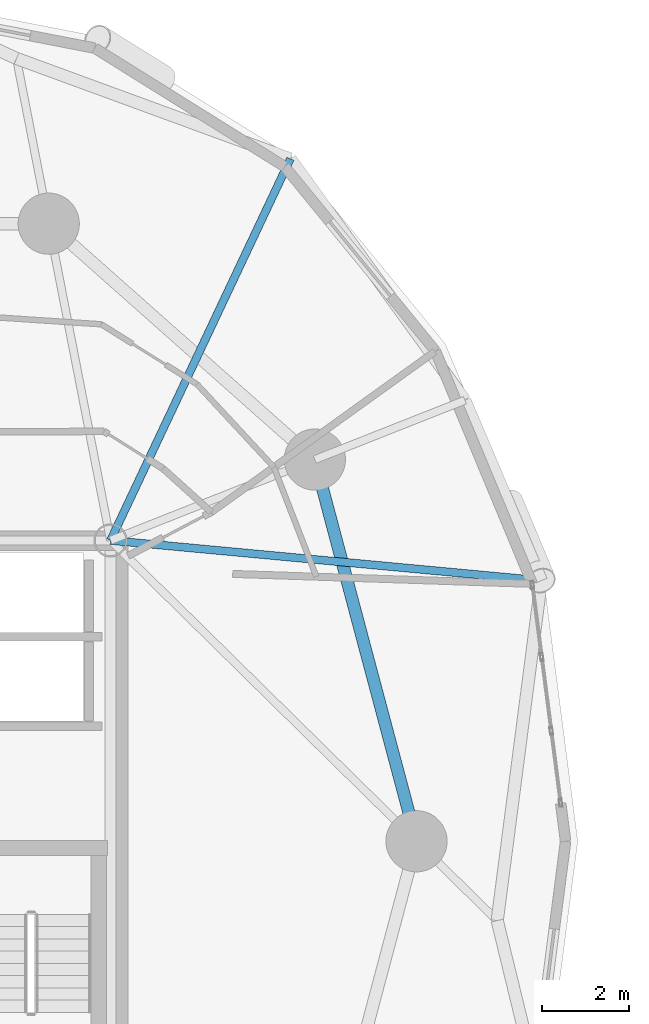
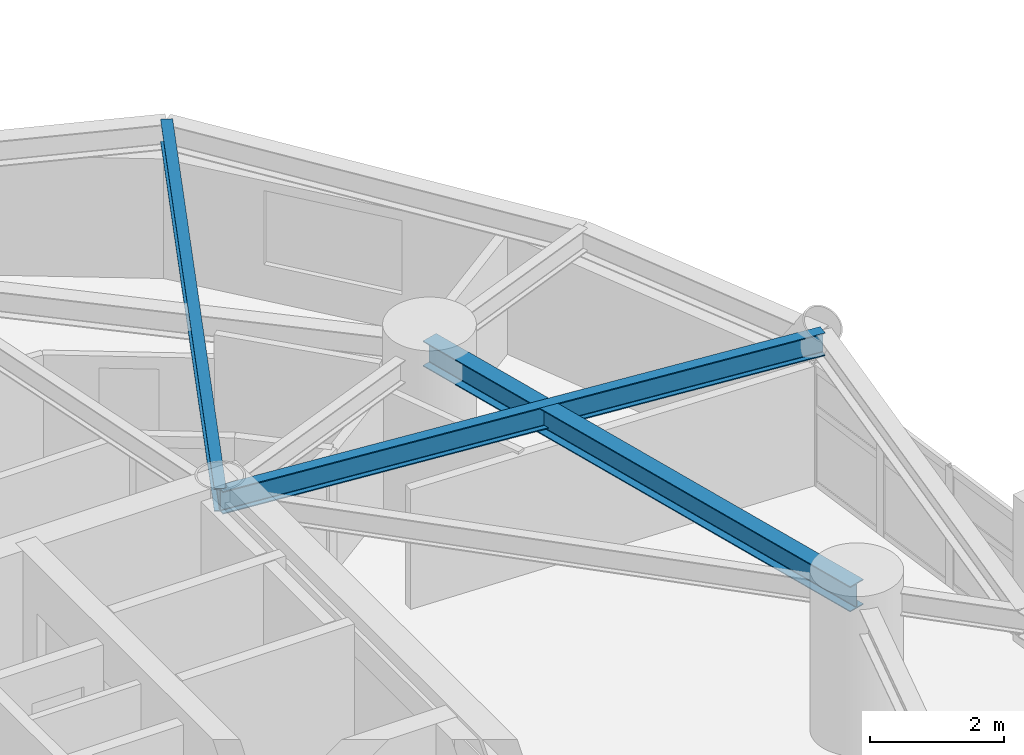
# One storey, part 3 of 17: 3 beams.
"""IFC4 building model written with IfcOpenShell, lengths in metres."""

from ifc_helpers import new_model, si_unit, direction, frame, origin, origin_2d, place, context, subcontext, project, spatial, i_section, extrude, material, material_profile, profile_set, type_object, element, save


model = new_model("IFC4")

# Units and contexts
model_context = context("Model", 3, precision=1e-05, world=origin(), true_north=direction((0.0, 1.0)))
body_context = subcontext(model_context, "Body", "Model", "MODEL_VIEW")
ifc_project = project(units=[si_unit("LENGTHUNIT", "METRE"), si_unit("AREAUNIT", "SQUARE_METRE"), si_unit("VOLUMEUNIT", "CUBIC_METRE"), si_unit("PLANEANGLEUNIT", "RADIAN"), si_unit("MASSUNIT", "GRAM", prefix="KILO")], contexts=[model_context])

# Site, building, storey
site_placement = place(None, origin())
site = spatial("IfcSite", under=ifc_project, at=site_placement, CompositionType="ELEMENT")
building_placement = place(site_placement, origin())
building = spatial("IfcBuilding", under=site, at=building_placement, Name="Cununo Teusaquillo Station Towers", CompositionType="ELEMENT")
storey_placement = place(building_placement, frame((0.0, 0.0, 107.97998046875)))
storey = spatial("IfcBuildingStorey", under=building, at=storey_placement, Name="L34", CompositionType="ELEMENT", Elevation=107.97998046875)

# Beams
ifc_material_1 = material(Name="Steel ASTM A572 Grade 50", Category="steel")
ifc_material_profile_1 = material_profile(ifc_material_1, i_section(OverallWidth=0.180908203125, OverallDepth=0.4169921875, WebThickness=0.010986328125, FlangeThickness=0.018310546875, FilletRadius=0.012939453125, at=origin_2d()), Name="W16X57")
ifc_profile_set_1 = profile_set([ifc_material_profile_1], Name="Steel ASTM A572 Grade 50")
beam_type_1 = type_object("IfcBeamType", Name="BM-JOIST-1", PredefinedType="JOIST", material=ifc_profile_set_1)
beam_1_placement = place(storey_placement, frame((21.675048828125, 31.3798828125, 2.46142578125), z_axis=(0.995678537907, -0.09286683558, 0.0), x_axis=(0.09286683558, 0.995678537907, 0.0)))
element("IfcBeam", 1, at=beam_1_placement, inside=storey, type_object=beam_type_1, Name="L34 Tower A Radial Spandrel Joist V01", PredefinedType="JOIST", context=body_context, shape_type="SweptSolid", body=[
    extrude(i_section(OverallWidth=0.180908203125, OverallDepth=0.4169921875, WebThickness=0.010986328125, FlangeThickness=0.018310546875, FilletRadius=0.012939453125, at=origin_2d()), origin(), (0.0, 0.0, 1.0), 9.895263671875),
])
beam_2_placement = place(storey_placement, frame((21.675048828125, 31.3798828125, 2.46142578125), z_axis=(0.426319838016, 0.904572493344, 0.0), x_axis=(-0.904572493344, 0.426319838016, 0.0)))
element("IfcBeam", 2, at=beam_2_placement, inside=storey, type_object=beam_type_1, Name="L34 Tower A Radial Spandrel Joist V03", PredefinedType="JOIST", context=body_context, shape_type="SweptSolid", body=[
    extrude(i_section(OverallWidth=0.180908203125, OverallDepth=0.4169921875, WebThickness=0.010986328125, FlangeThickness=0.018310546875, FilletRadius=0.012939453125, at=origin_2d()), origin(), (0.0, 0.0, 1.0), 9.646728515625),
])
ifc_material_2 = material(Name="Steel ASTM A572 Grade 50", Category="steel")
ifc_material_profile_2 = material_profile(ifc_material_2, i_section(OverallWidth=0.280029296875, OverallDepth=0.462890625, WebThickness=0.0107421875, FlangeThickness=0.017333984375, FilletRadius=0.013916015625, at=origin_2d()), Name="W18X76")
ifc_profile_set_2 = profile_set([ifc_material_profile_2], Name="Steel ASTM A572 Grade 50")
beam_type_2 = type_object("IfcBeamType", Name="BM-RING-Z2", PredefinedType="SPANDREL", material=ifc_profile_set_2)
beam_3_placement = place(storey_placement, frame((28.672119140625, 24.5, 2.4384765625), z_axis=(-0.257363196347, 0.966314744359, 0.0), x_axis=(-0.966314744359, -0.257363196347, 0.0)))
element("IfcBeam", 3, at=beam_3_placement, inside=storey, type_object=beam_type_2, Name="L34 Tower A Structural Column Ring Girder 01", PredefinedType="SPANDREL", context=body_context, shape_type="SweptSolid", body=[
    extrude(i_section(OverallWidth=0.280029296875, OverallDepth=0.462890625, WebThickness=0.0107421875, FlangeThickness=0.017333984375, FilletRadius=0.013916015625, at=origin_2d()), origin(), (0.0, 0.0, 1.0), 9.03271484375),
])

save(model, "model.ifc")
